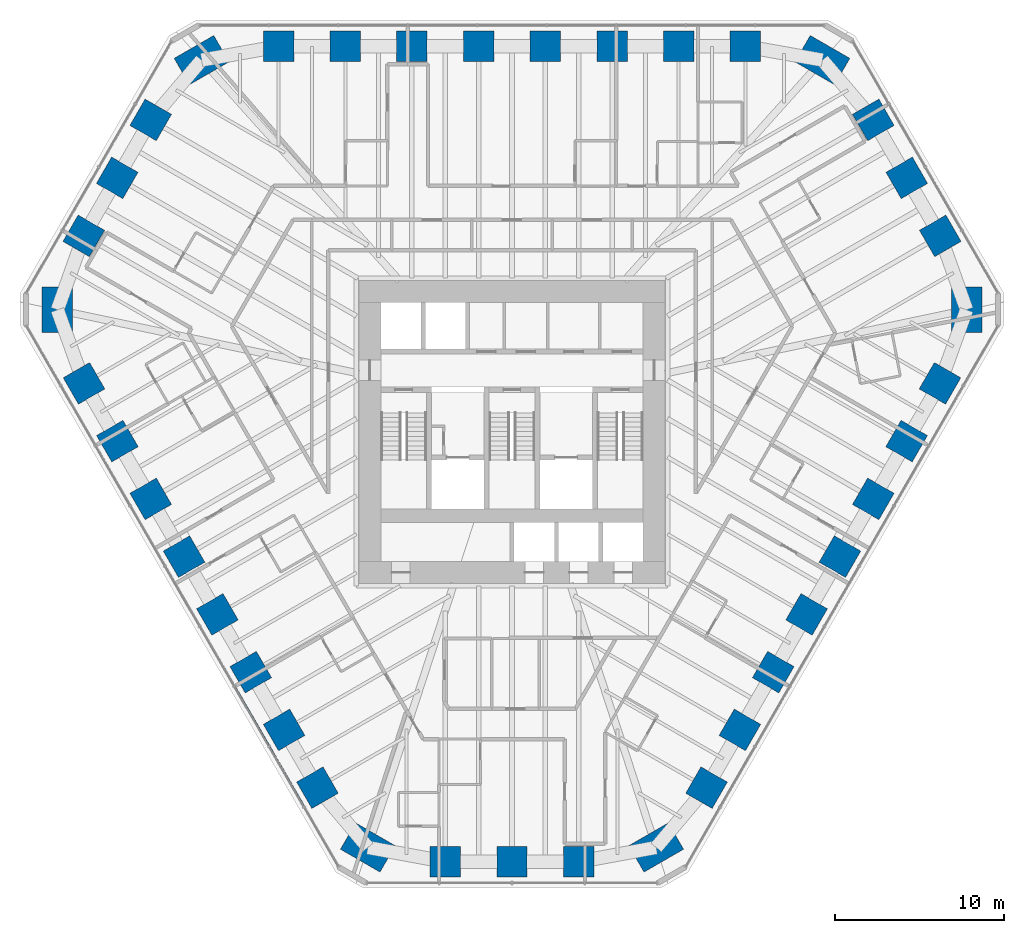
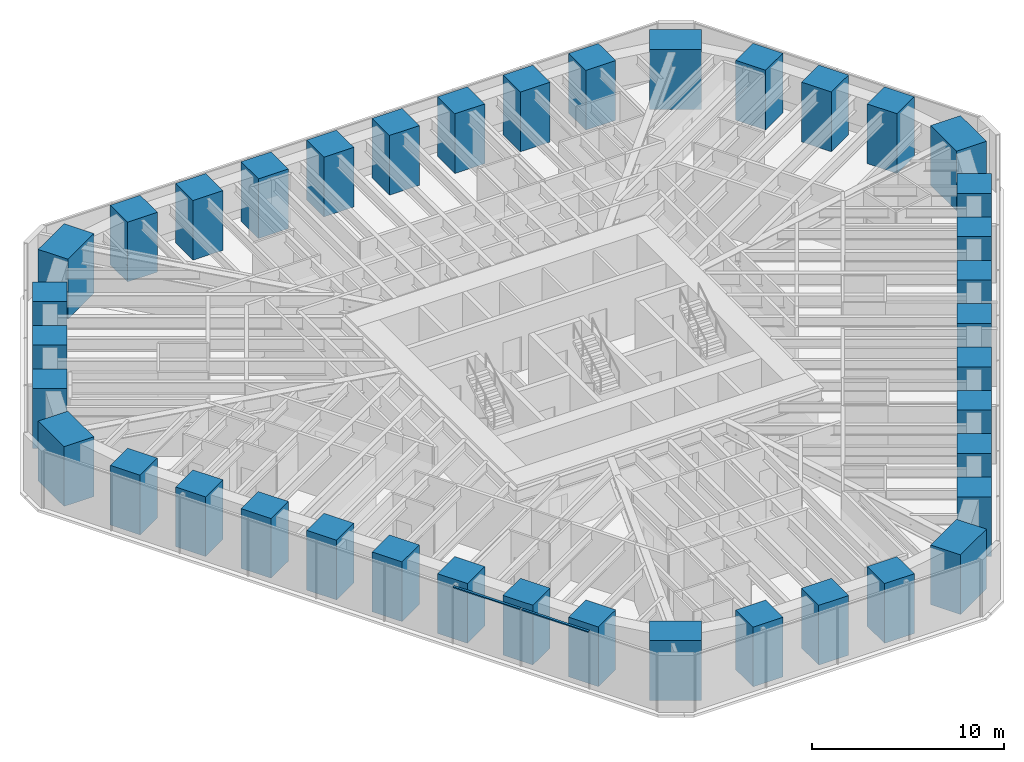
# One storey, part 1 of 16: 39 columns, 2 members, 1 element without a shape of its own.
"""IFC4 building model written with IfcOpenShell, lengths in metres."""

from ifc_helpers import new_model, si_unit, direction, frame, origin, origin_2d, place, context, subcontext, project, spatial, rectangle, extrude, material, material_profile, profile_set, type_object, element, aggregate, save


model = new_model("IFC4")

# Units and contexts
model_context = context("Model", 3, precision=1e-05, world=origin(), true_north=direction((0.0, 1.0)))
body_context = subcontext(model_context, "Body", "Model", "MODEL_VIEW")
ifc_project = project(units=[si_unit("LENGTHUNIT", "METRE"), si_unit("AREAUNIT", "SQUARE_METRE"), si_unit("VOLUMEUNIT", "CUBIC_METRE"), si_unit("PLANEANGLEUNIT", "RADIAN"), si_unit("MASSUNIT", "GRAM", prefix="KILO")], contexts=[model_context])

# Site, building, storey
site_placement = place(None, origin())
site = spatial("IfcSite", under=ifc_project, at=site_placement, CompositionType="ELEMENT")
building_placement = place(site_placement, origin())
building = spatial("IfcBuilding", under=site, at=building_placement, Name="Sandreach Pilgrim Tower", CompositionType="ELEMENT")
storey_placement = place(building_placement, frame((0.0, 0.0, 115.800048828125)))
storey = spatial("IfcBuildingStorey", under=building, at=storey_placement, Name="L28", CompositionType="ELEMENT", Elevation=115.800048828125)

# Columns
ifc_material_1 = material(Name="Concrete 10000 psi", Category="concrete")
ifc_material_profile_1 = material_profile(ifc_material_1, rectangle(XDim=1.800048828125, YDim=1.800048828125, at=origin_2d()), Name="RC1800X1800")
ifc_profile_set_1 = profile_set([ifc_material_profile_1], Name="Concrete 10000 psi")
column_type_1 = type_object("IfcColumnType", Name="Tube column RC1800X1800", PredefinedType="COLUMN", material=ifc_profile_set_1)
for number, where, z_axis, x_axis, name in (
    (1, (-13.789794921875, 21.23388671875, 0.0), (0.0, 0.0, 1.0), (0.0, 1.0, 0.0), "COL L28 T01"),
    (2, (-9.849853515625, 21.23388671875, 0.0), (0.0, 0.0, 1.0), (0.0, 1.0, 0.0), "COL L28 T02"),
    (3, (-5.909912109375, 21.23388671875, 0.0), (0.0, 0.0, 1.0), (0.0, 1.0, 0.0), "COL L28 T03"),
    (4, (-1.969970703125, 21.23388671875, 0.0), (0.0, 0.0, 1.0), (0.0, 1.0, 0.0), "COL L28 T04"),
    (5, (1.969970703125, 21.23388671875, 0.0), (0.0, 0.0, 1.0), (0.0, 1.0, 0.0), "COL L28 T05"),
    (6, (5.909912109375, 21.23388671875, 0.0), (0.0, 0.0, 1.0), (0.0, 1.0, 0.0), "COL L28 T06"),
    (7, (9.849853515625, 21.23388671875, 0.0), (0.0, 0.0, 1.0), (0.0, 1.0, 0.0), "COL L28 T07"),
    (8, (13.789794921875, 21.23388671875, 0.0), (0.0, 0.0, 1.0), (0.0, 1.0, 0.0), "COL L28 T08"),
    (9, (21.346435546875, 16.891357421875, 0.0), (0.0, 0.0, 1.0), (0.866025403784, 0.5, 0.0), "COL L28 T10"),
    (10, (23.323974609375, 13.466064453125, 0.0), (0.0, 0.0, 1.0), (0.866025403784, 0.5, 0.0), "COL L28 T11"),
    (11, (25.301513671875, 10.040771484375, 0.0), (0.0, 0.0, 1.0), (0.866025403784, 0.5, 0.0), "COL L28 T12"),
    (12, (25.283935546875, 1.325439453125, 0.0), (0.0, 0.0, 1.0), (0.866025403784, -0.5, 0.0), "COL L28 T14"),
    (13, (23.31396484375, -2.086669921875, 0.0), (0.0, 0.0, 1.0), (0.866025403784, -0.5, 0.0), "COL L28 T15"),
    (14, (21.343994140625, -5.498779296875, 0.0), (0.0, 0.0, 1.0), (0.866025403784, -0.5, 0.0), "COL L28 T16"),
    (15, (19.3740234375, -8.910888671875, 0.0), (0.0, 0.0, 1.0), (0.866025403784, -0.5, 0.0), "COL L28 T17"),
    (16, (17.404052734375, -12.322998046875, 0.0), (0.0, 0.0, 1.0), (0.866025403784, -0.5, 0.0), "COL L28 T18"),
    (17, (15.43408203125, -15.735107421875, 0.0), (0.0, 0.0, 1.0), (0.866025403784, -0.5, 0.0), "COL L28 T19"),
    (18, (13.464111328125, -19.147216796875, 0.0), (0.0, 0.0, 1.0), (0.866025403784, -0.5, 0.0), "COL L28 T20"),
    (19, (11.494140625, -22.559326171875, 0.0), (0.0, 0.0, 1.0), (0.866025403784, -0.5, 0.0), "COL L28 T21"),
    (20, (3.955322265625, -26.93212890625, 0.0), (0.0, 0.0, 1.0), (0.0, -1.0, 0.0), "COL L28 T23"),
    (21, (0.0, -26.93212890625, 0.0), (0.0, 0.0, 1.0), (0.0, -1.0, 0.0), "COL L28 T24"),
    (22, (-3.955322265625, -26.93212890625, 0.0), (0.0, 0.0, 1.0), (0.0, -1.0, 0.0), "COL L28 T25"),
    (23, (-11.494140625, -22.559326171875, 0.0), (0.0, 0.0, 1.0), (-0.866025403784, -0.5, 0.0), "COL L28 T27"),
    (24, (-13.464111328125, -19.147216796875, 0.0), (0.0, 0.0, 1.0), (-0.866025403784, -0.5, 0.0), "COL L28 T28"),
    (25, (-15.43408203125, -15.735107421875, 0.0), (0.0, 0.0, 1.0), (-0.866025403784, -0.5, 0.0), "COL L28 T29"),
    (26, (-17.404052734375, -12.322998046875, 0.0), (0.0, 0.0, 1.0), (-0.866025403784, -0.5, 0.0), "COL L28 T30"),
    (27, (-19.3740234375, -8.910888671875, 0.0), (0.0, 0.0, 1.0), (-0.866025403784, -0.5, 0.0), "COL L28 T31"),
    (28, (-21.343994140625, -5.498779296875, 0.0), (0.0, 0.0, 1.0), (-0.866025403784, -0.5, 0.0), "COL L28 T32"),
    (29, (-23.31396484375, -2.086669921875, 0.0), (0.0, 0.0, 1.0), (-0.866025403784, -0.5, 0.0), "COL L28 T33"),
    (30, (-25.283935546875, 1.325439453125, 0.0), (0.0, 0.0, 1.0), (-0.866025403784, -0.5, 0.0), "COL L28 T34"),
    (31, (-25.301513671875, 10.040771484375, 0.0), (0.0, 0.0, 1.0), (-0.866025403784, 0.5, 0.0), "COL L28 T36"),
    (32, (-23.323974609375, 13.466064453125, 0.0), (0.0, 0.0, 1.0), (-0.866025403784, 0.5, 0.0), "COL L28 T37"),
    (33, (-21.346435546875, 16.891357421875, 0.0), (0.0, 0.0, 1.0), (-0.866025403784, 0.5, 0.0), "COL L28 T38"),
):
    element("IfcColumn", number, at=place(storey_placement, frame(where, z_axis=z_axis, x_axis=x_axis)), inside=storey, type_object=column_type_1, Name=name, PredefinedType="COLUMN", context=body_context, shape_type="SweptSolid", body=[
        extrude(rectangle(XDim=1.800048828125, YDim=1.800048828125, at=origin_2d()), origin(), (0.0, 0.0, 1.0), 3.800048828125),
    ])
ifc_material_2 = material(Name="Concrete 10000 psi", Category="concrete")
ifc_material_profile_2 = material_profile(ifc_material_2, rectangle(XDim=1.800048828125, YDim=2.699951171875, at=origin_2d()), Name="RC1800X2700")
ifc_profile_set_2 = profile_set([ifc_material_profile_2], Name="Concrete 10000 psi")
column_type_2 = type_object("IfcColumnType", Name="Tube corner pier RC1800X2700", PredefinedType="COLUMN", material=ifc_profile_set_2)
for number, where, z_axis, x_axis, name in (
    (34, (18.33935546875, 20.423828125, 0.0), (0.0, 0.0, 1.0), (0.5, 0.866025403784, 0.0), "COL L28 T09"),
    (35, (26.857177734375, 5.67041015625, 0.0), (0.0, 0.0, 1.0), (1.0, 0.0, 0.0), "COL L28 T13"),
    (36, (8.517822265625, -26.09423828125, 0.0), (0.0, 0.0, 1.0), (0.5, -0.866025403784, 0.0), "COL L28 T22"),
    (37, (-8.517822265625, -26.09423828125, 0.0), (0.0, 0.0, 1.0), (-0.5, -0.866025403784, 0.0), "COL L28 T26"),
    (38, (-26.857177734375, 5.67041015625, 0.0), (0.0, 0.0, 1.0), (-1.0, 0.0, 0.0), "COL L28 T35"),
    (39, (-18.33935546875, 20.423828125, 0.0), (0.0, 0.0, 1.0), (-0.5, 0.866025403784, 0.0), "COL L28 T39"),
):
    element("IfcColumn", number, at=place(storey_placement, frame(where, z_axis=z_axis, x_axis=x_axis)), inside=storey, type_object=column_type_2, Name=name, PredefinedType="COLUMN", context=body_context, shape_type="SweptSolid", body=[
        extrude(rectangle(XDim=1.800048828125, YDim=2.699951171875, at=origin_2d()), origin(), (0.0, 0.0, 1.0), 3.800048828125),
    ])

# Curtain wall, members
ifc_material_3 = material(Name="Aluminium framed curtain wall", Category="aluminium")
curtain_wall_type = type_object("IfcCurtainWallType", Name="Hotel tower curtain wall", PredefinedType="NOTDEFINED", material=ifc_material_3)
curtain_wall_placement = place(storey_placement, origin())
curtain_wall = element("IfcCurtainWall", 40, at=curtain_wall_placement, inside=storey, type_object=curtain_wall_type, Name="CW-2 L28 SW", PredefinedType="NOTDEFINED")
ifc_material_4 = material(Name="Aluminium extrusion", Category="aluminium")
ifc_material_profile_3 = material_profile(ifc_material_4, rectangle(XDim=0.139892578125, YDim=0.070068359375, at=origin_2d()), Name="CW-2T 140X70")
ifc_profile_set_3 = profile_set([ifc_material_profile_3], Name="Aluminium extrusion")
member_type = type_object("IfcMemberType", Name="CW-2 transom", PredefinedType="USERDEFINED", material=ifc_profile_set_3)
member_1_placement = place(storey_placement, frame((-12.309326171875, -23.667236328125, 3.60498046875), z_axis=(-0.500023973715, 0.866011562111, 0.0), x_axis=(-0.866011562111, -0.500023973715, 0.0)))
member_1 = element("IfcMember", 41, at=member_1_placement, type_object=member_type, Name="CW-2 head transom 2", ObjectType="TRANSOM", PredefinedType="USERDEFINED", context=body_context, shape_type="SweptSolid", body=[
    extrude(rectangle(XDim=0.139892578125, YDim=0.070068359375, at=origin_2d()), origin(), (0.0, 0.0, 1.0), 4.041748046875),
])
member_2_placement = place(storey_placement, frame((-14.36279296875, -20.110595703125, 3.60498046875), z_axis=(-0.499997818338, 0.866026663364, 0.0), x_axis=(-0.866026663364, -0.499997818338, 0.0)))
member_2 = element("IfcMember", 42, at=member_2_placement, type_object=member_type, Name="CW-2 head transom 3", ObjectType="TRANSOM", PredefinedType="USERDEFINED", context=body_context, shape_type="SweptSolid", body=[
    extrude(rectangle(XDim=0.139892578125, YDim=0.070068359375, at=origin_2d()), origin(), (0.0, 0.0, 1.0), 4.0419921875),
])
aggregate(curtain_wall, [member_1, member_2])

save(model, "model.ifc")
